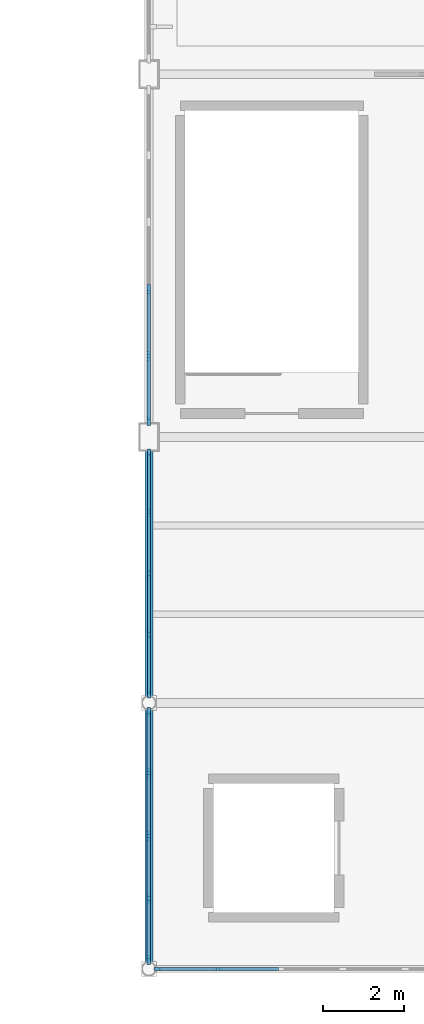
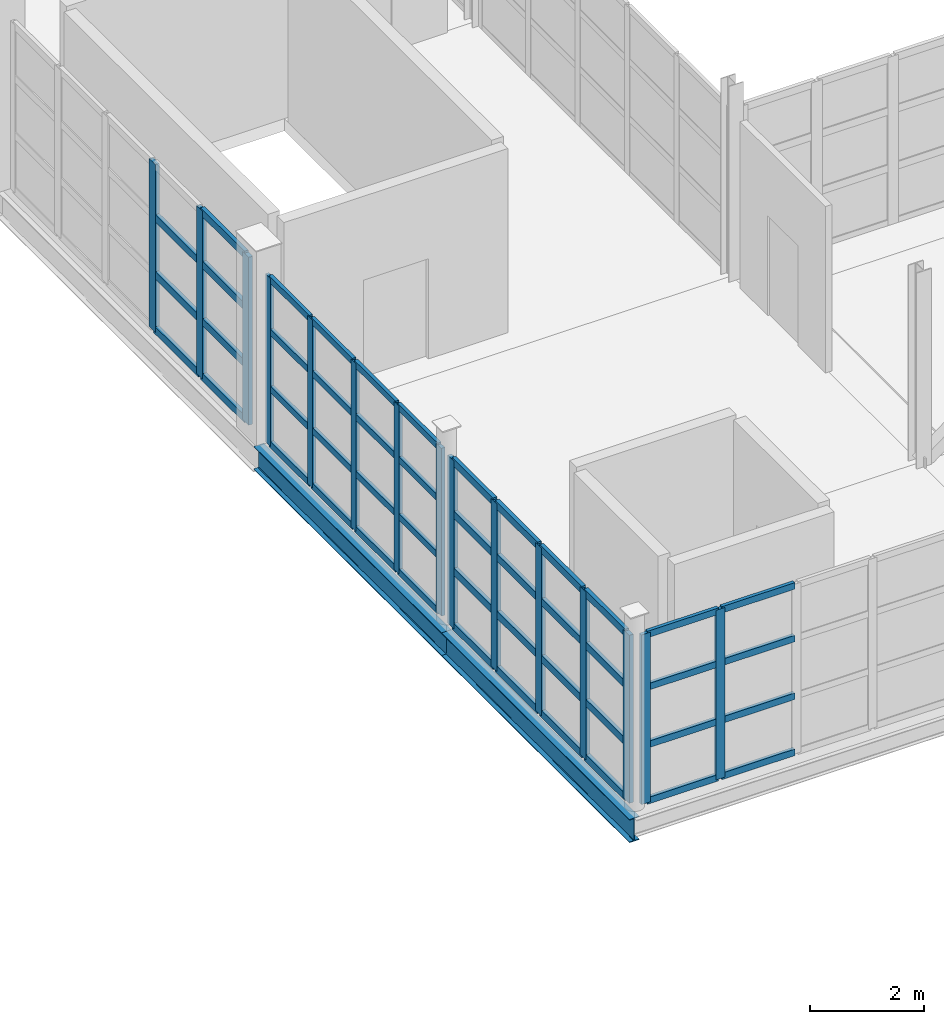
# One storey, part 26 of 82: 62 members, 2 beams, 4 elements without a shape of their own.
"""IFC4 building model written with IfcOpenShell, lengths in metres."""

from ifc_helpers import new_model, si_unit, direction, frame, origin, origin_2d, place, context, subcontext, project, spatial, rectangle, i_section, extrude, material, layer, layer_set, material_profile, profile_set, type_object, element, aggregate, save


model = new_model("IFC4")

# Units and contexts
model_context = context("Model", 3, precision=1e-05, world=origin(), true_north=direction((0.0, 1.0)))
body_context = subcontext(model_context, "Body", "Model", "MODEL_VIEW")
ifc_project = project(units=[si_unit("LENGTHUNIT", "METRE"), si_unit("AREAUNIT", "SQUARE_METRE"), si_unit("VOLUMEUNIT", "CUBIC_METRE"), si_unit("PLANEANGLEUNIT", "RADIAN"), si_unit("MASSUNIT", "GRAM", prefix="KILO")], contexts=[model_context])

# Site, building, storey
site_placement = place(None, origin())
site = spatial("IfcSite", under=ifc_project, at=site_placement, CompositionType="ELEMENT")
building_placement = place(site_placement, origin())
building = spatial("IfcBuilding", under=site, at=building_placement, Name="Zarnetskaya Central Station", CompositionType="ELEMENT")
storey_placement = place(building_placement, frame((0.0, 0.0, 10.199951171875)))
storey = spatial("IfcBuildingStorey", under=building, at=storey_placement, Name="L02", CompositionType="ELEMENT", Elevation=10.199951171875)

# Curtain wall, members
ifc_material_1 = material(Name="Low-E insulated glass", Category="glass")
ifc_layer = layer(ifc_material_1, 0.1640625, Name="Low-E insulated glass", Category="glass")
ifc_layer_set = layer_set([ifc_layer], Name="Low-E insulated glass")
curtain_wall_type = type_object("IfcCurtainWallType", Name="CW-SYS-07", PredefinedType="USERDEFINED", material=ifc_layer_set)
curtain_wall_1_placement = place(storey_placement, origin())
curtain_wall_1 = element("IfcCurtainWall", 1, at=curtain_wall_1_placement, inside=storey, type_object=curtain_wall_type, Name="Curtain wall CW-L02-135", ObjectType="CURTAIN WALL", PredefinedType="USERDEFINED")
ifc_material_2 = material(Name="Anodised aluminium", Category="aluminium")
ifc_material_profile_1 = material_profile(ifc_material_2, rectangle(XDim=0.070068359375, YDim=0.179931640625, at=origin_2d()), Name="ALU MULL 70x180")
ifc_profile_set_1 = profile_set([ifc_material_profile_1], Name="Anodised aluminium")
member_type_1 = type_object("IfcMemberType", Name="CW-MULL-180", PredefinedType="MULLION", material=ifc_profile_set_1)
member_1_placement = place(storey_placement, frame((124.800048828125, 6.812744140625, 0.0), z_axis=(0.0, 0.0, 1.0), x_axis=(-1.0, 0.0, 0.0)))
member_1 = element("IfcMember", 2, at=member_1_placement, type_object=member_type_1, Name="CW-06 mullion 1", PredefinedType="MULLION", context=body_context, shape_type="SweptSolid", body=[
    extrude(rectangle(XDim=0.070068359375, YDim=0.179931640625, at=origin_2d()), origin(), (0.0, 0.0, 1.0), 3.60009765625),
])
member_2_placement = place(storey_placement, frame((124.800048828125, 8.2958984375, 0.0), z_axis=(0.0, 0.0, 1.0), x_axis=(-1.0, 0.0, 0.0)))
member_2 = element("IfcMember", 3, at=member_2_placement, type_object=member_type_1, Name="CW-06 mullion 2", PredefinedType="MULLION", context=body_context, shape_type="SweptSolid", body=[
    extrude(rectangle(XDim=0.070068359375, YDim=0.179931640625, at=origin_2d()), origin(), (0.0, 0.0, 1.0), 3.60009765625),
])
member_3_placement = place(storey_placement, frame((124.800048828125, 9.81396484375, 0.0), z_axis=(0.0, 0.0, 1.0), x_axis=(-1.0, 0.0, 0.0)))
member_3 = element("IfcMember", 4, at=member_3_placement, type_object=member_type_1, Name="CW-06 mullion 3", PredefinedType="MULLION", context=body_context, shape_type="SweptSolid", body=[
    extrude(rectangle(XDim=0.070068359375, YDim=0.179931640625, at=origin_2d()), origin(), (0.0, 0.0, 1.0), 3.60009765625),
])
member_4_placement = place(storey_placement, frame((124.800048828125, 11.33203125, 0.0), z_axis=(0.0, 0.0, 1.0), x_axis=(-1.0, 0.0, 0.0)))
member_4 = element("IfcMember", 5, at=member_4_placement, type_object=member_type_1, Name="CW-06 mullion 4", PredefinedType="MULLION", context=body_context, shape_type="SweptSolid", body=[
    extrude(rectangle(XDim=0.070068359375, YDim=0.179931640625, at=origin_2d()), origin(), (0.0, 0.0, 1.0), 3.60009765625),
])
member_5_placement = place(storey_placement, frame((124.800048828125, 12.81494140625, 0.0), z_axis=(0.0, 0.0, 1.0), x_axis=(-1.0, 0.0, 0.0)))
member_5 = element("IfcMember", 6, at=member_5_placement, type_object=member_type_1, Name="CW-06 mullion 5", PredefinedType="MULLION", context=body_context, shape_type="SweptSolid", body=[
    extrude(rectangle(XDim=0.070068359375, YDim=0.179931640625, at=origin_2d()), origin(), (0.0, 0.0, 1.0), 3.60009765625),
])

curtain_wall_2_placement = place(storey_placement, origin())
curtain_wall_2 = element("IfcCurtainWall", 7, at=curtain_wall_2_placement, inside=storey, type_object=curtain_wall_type, Name="Curtain wall CW-L02-145", ObjectType="CURTAIN WALL", PredefinedType="USERDEFINED")
member_6_placement = place(storey_placement, frame((126.523193359375, 0.0, 0.0), z_axis=(0.0, 0.0, 1.0), x_axis=(0.0, -1.0, 0.0)))
member_6 = element("IfcMember", 8, at=member_6_placement, type_object=member_type_1, Name="CW-06 mullion 6", PredefinedType="MULLION", context=body_context, shape_type="SweptSolid", body=[
    extrude(rectangle(XDim=0.070068359375, YDim=0.179931640625, at=origin_2d()), origin(), (0.0, 0.0, 1.0), 3.64013671875),
])
member_7_placement = place(storey_placement, frame((125.0126953125, 0.0, 0.0), z_axis=(0.0, 0.0, 1.0), x_axis=(0.0, -1.0, 0.0)))
member_7 = element("IfcMember", 9, at=member_7_placement, type_object=member_type_1, Name="CW-06 mullion 7", PredefinedType="MULLION", context=body_context, shape_type="SweptSolid", body=[
    extrude(rectangle(XDim=0.070068359375, YDim=0.179931640625, at=origin_2d()), origin(), (0.0, 0.0, 1.0), 3.64013671875),
])

curtain_wall_3_placement = place(storey_placement, origin())
curtain_wall_3 = element("IfcCurtainWall", 10, at=curtain_wall_3_placement, inside=storey, type_object=curtain_wall_type, Name="Curtain wall CW-L02-134", ObjectType="CURTAIN WALL", PredefinedType="USERDEFINED")
ifc_material_profile_2 = material_profile(ifc_material_2, rectangle(XDim=0.080078125, YDim=0.219970703125, at=origin_2d()), Name="ALU MULL 80x220")
ifc_profile_set_2 = profile_set([ifc_material_profile_2], Name="Anodised aluminium")
member_type_2 = type_object("IfcMemberType", Name="CW-MULL-220", PredefinedType="MULLION", material=ifc_profile_set_2)
member_8_placement = place(storey_placement, frame((124.800048828125, 0.2177734375, 0.0), z_axis=(0.0, 0.0, 1.0), x_axis=(-1.0, 0.0, 0.0)))
member_8 = element("IfcMember", 11, at=member_8_placement, type_object=member_type_2, Name="CW-06 mullion 1", PredefinedType="MULLION", context=body_context, shape_type="SweptSolid", body=[
    extrude(rectangle(XDim=0.080078125, YDim=0.219970703125, at=origin_2d()), origin(), (0.0, 0.0, 1.0), 3.60009765625),
])
member_9_placement = place(storey_placement, frame((124.800048828125, 1.739013671875, 0.0), z_axis=(0.0, 0.0, 1.0), x_axis=(-1.0, 0.0, 0.0)))
member_9 = element("IfcMember", 12, at=member_9_placement, type_object=member_type_2, Name="CW-06 mullion 2", PredefinedType="MULLION", context=body_context, shape_type="SweptSolid", body=[
    extrude(rectangle(XDim=0.080078125, YDim=0.219970703125, at=origin_2d()), origin(), (0.0, 0.0, 1.0), 3.60009765625),
])
member_10_placement = place(storey_placement, frame((124.800048828125, 3.300048828125, 0.0), z_axis=(0.0, 0.0, 1.0), x_axis=(-1.0, 0.0, 0.0)))
member_10 = element("IfcMember", 13, at=member_10_placement, type_object=member_type_2, Name="CW-06 mullion 3", PredefinedType="MULLION", context=body_context, shape_type="SweptSolid", body=[
    extrude(rectangle(XDim=0.080078125, YDim=0.219970703125, at=origin_2d()), origin(), (0.0, 0.0, 1.0), 3.60009765625),
])
member_11_placement = place(storey_placement, frame((124.800048828125, 4.861083984375, 0.0), z_axis=(0.0, 0.0, 1.0), x_axis=(-1.0, 0.0, 0.0)))
member_11 = element("IfcMember", 14, at=member_11_placement, type_object=member_type_2, Name="CW-06 mullion 4", PredefinedType="MULLION", context=body_context, shape_type="SweptSolid", body=[
    extrude(rectangle(XDim=0.080078125, YDim=0.219970703125, at=origin_2d()), origin(), (0.0, 0.0, 1.0), 3.60009765625),
])
member_12_placement = place(storey_placement, frame((124.800048828125, 6.382080078125, 0.0), z_axis=(0.0, 0.0, 1.0), x_axis=(-1.0, 0.0, 0.0)))
member_12 = element("IfcMember", 15, at=member_12_placement, type_object=member_type_2, Name="CW-06 mullion 5", PredefinedType="MULLION", context=body_context, shape_type="SweptSolid", body=[
    extrude(rectangle(XDim=0.080078125, YDim=0.219970703125, at=origin_2d()), origin(), (0.0, 0.0, 1.0), 3.60009765625),
])

curtain_wall_4_placement = place(storey_placement, origin())
curtain_wall_4 = element("IfcCurtainWall", 16, at=curtain_wall_4_placement, inside=storey, type_object=curtain_wall_type, Name="Curtain wall CW-L02-136", ObjectType="CURTAIN WALL", PredefinedType="USERDEFINED")
member_13_placement = place(storey_placement, frame((124.800048828125, 13.590087890625, 0.0), z_axis=(0.0, 0.0, 1.0), x_axis=(-1.0, 0.0, 0.0)))
member_13 = element("IfcMember", 17, at=member_13_placement, type_object=member_type_2, Name="CW-06 mullion 1", PredefinedType="MULLION", context=body_context, shape_type="SweptSolid", body=[
    extrude(rectangle(XDim=0.080078125, YDim=0.219970703125, at=origin_2d()), origin(), (0.0, 0.0, 1.0), 3.60009765625),
])
member_14_placement = place(storey_placement, frame((124.800048828125, 15.2099609375, 0.0), z_axis=(0.0, 0.0, 1.0), x_axis=(-1.0, 0.0, 0.0)))
member_14 = element("IfcMember", 18, at=member_14_placement, type_object=member_type_2, Name="CW-06 mullion 2", PredefinedType="MULLION", context=body_context, shape_type="SweptSolid", body=[
    extrude(rectangle(XDim=0.080078125, YDim=0.219970703125, at=origin_2d()), origin(), (0.0, 0.0, 1.0), 3.60009765625),
])
member_15_placement = place(storey_placement, frame((124.800048828125, 16.8701171875, 0.0), z_axis=(0.0, 0.0, 1.0), x_axis=(-1.0, 0.0, 0.0)))
member_15 = element("IfcMember", 19, at=member_15_placement, type_object=member_type_2, Name="CW-06 mullion 3", PredefinedType="MULLION", context=body_context, shape_type="SweptSolid", body=[
    extrude(rectangle(XDim=0.080078125, YDim=0.219970703125, at=origin_2d()), origin(), (0.0, 0.0, 1.0), 3.60009765625),
])

# Member
ifc_material_profile_3 = material_profile(ifc_material_2, rectangle(XDim=0.070068359375, YDim=0.139892578125, at=origin_2d()), Name="ALU TRAN 70x140")
ifc_profile_set_3 = profile_set([ifc_material_profile_3], Name="Anodised aluminium")
member_type_3 = type_object("IfcMemberType", Name="CW-TRAN-140", PredefinedType="USERDEFINED", material=ifc_profile_set_3)
member_16_placement = place(storey_placement, frame((124.800048828125, 6.847900390625, 0.03515625), z_axis=(0.0, 1.0, 0.0), x_axis=(-1.0, 0.0, 0.0)))
member_16 = element("IfcMember", 20, at=member_16_placement, type_object=member_type_3, Name="CW-06 transom 1.1", ObjectType="TRANSOM", PredefinedType="USERDEFINED", context=body_context, shape_type="SweptSolid", body=[
    extrude(rectangle(XDim=0.070068359375, YDim=0.139892578125, at=origin_2d()), origin(), (0.0, 0.0, 1.0), 1.412841796875),
])

member_17_placement = place(storey_placement, frame((124.800048828125, 6.847900390625, 1.22412109375), z_axis=(0.0, 1.0, 0.0), x_axis=(-1.0, 0.0, 0.0)))
member_17 = element("IfcMember", 21, at=member_17_placement, type_object=member_type_3, Name="CW-06 transom 1.2", ObjectType="TRANSOM", PredefinedType="USERDEFINED", context=body_context, shape_type="SweptSolid", body=[
    extrude(rectangle(XDim=0.070068359375, YDim=0.139892578125, at=origin_2d()), origin(), (0.0, 0.0, 1.0), 1.412841796875),
])

member_18_placement = place(storey_placement, frame((124.800048828125, 6.847900390625, 2.447998046875), z_axis=(0.0, 1.0, 0.0), x_axis=(-1.0, 0.0, 0.0)))
member_18 = element("IfcMember", 22, at=member_18_placement, type_object=member_type_3, Name="CW-06 transom 1.3", ObjectType="TRANSOM", PredefinedType="USERDEFINED", context=body_context, shape_type="SweptSolid", body=[
    extrude(rectangle(XDim=0.070068359375, YDim=0.139892578125, at=origin_2d()), origin(), (0.0, 0.0, 1.0), 1.412841796875),
])

member_19_placement = place(storey_placement, frame((124.800048828125, 6.847900390625, 3.56494140625), z_axis=(0.0, 1.0, 0.0), x_axis=(-1.0, 0.0, 0.0)))
member_19 = element("IfcMember", 23, at=member_19_placement, type_object=member_type_3, Name="CW-06 transom 1.4", ObjectType="TRANSOM", PredefinedType="USERDEFINED", context=body_context, shape_type="SweptSolid", body=[
    extrude(rectangle(XDim=0.070068359375, YDim=0.139892578125, at=origin_2d()), origin(), (0.0, 0.0, 1.0), 1.412841796875),
])

member_20_placement = place(storey_placement, frame((124.800048828125, 8.330810546875, 0.03515625), z_axis=(0.0, 1.0, 0.0), x_axis=(-1.0, 0.0, 0.0)))
member_20 = element("IfcMember", 24, at=member_20_placement, type_object=member_type_3, Name="CW-06 transom 2.1", ObjectType="TRANSOM", PredefinedType="USERDEFINED", context=body_context, shape_type="SweptSolid", body=[
    extrude(rectangle(XDim=0.070068359375, YDim=0.139892578125, at=origin_2d()), origin(), (0.0, 0.0, 1.0), 1.447998046875),
])

member_21_placement = place(storey_placement, frame((124.800048828125, 8.330810546875, 1.22412109375), z_axis=(0.0, 1.0, 0.0), x_axis=(-1.0, 0.0, 0.0)))
member_21 = element("IfcMember", 25, at=member_21_placement, type_object=member_type_3, Name="CW-06 transom 2.2", ObjectType="TRANSOM", PredefinedType="USERDEFINED", context=body_context, shape_type="SweptSolid", body=[
    extrude(rectangle(XDim=0.070068359375, YDim=0.139892578125, at=origin_2d()), origin(), (0.0, 0.0, 1.0), 1.447998046875),
])

member_22_placement = place(storey_placement, frame((124.800048828125, 8.330810546875, 2.447998046875), z_axis=(0.0, 1.0, 0.0), x_axis=(-1.0, 0.0, 0.0)))
member_22 = element("IfcMember", 26, at=member_22_placement, type_object=member_type_3, Name="CW-06 transom 2.3", ObjectType="TRANSOM", PredefinedType="USERDEFINED", context=body_context, shape_type="SweptSolid", body=[
    extrude(rectangle(XDim=0.070068359375, YDim=0.139892578125, at=origin_2d()), origin(), (0.0, 0.0, 1.0), 1.447998046875),
])

member_23_placement = place(storey_placement, frame((124.800048828125, 8.330810546875, 3.56494140625), z_axis=(0.0, 1.0, 0.0), x_axis=(-1.0, 0.0, 0.0)))
member_23 = element("IfcMember", 27, at=member_23_placement, type_object=member_type_3, Name="CW-06 transom 2.4", ObjectType="TRANSOM", PredefinedType="USERDEFINED", context=body_context, shape_type="SweptSolid", body=[
    extrude(rectangle(XDim=0.070068359375, YDim=0.139892578125, at=origin_2d()), origin(), (0.0, 0.0, 1.0), 1.447998046875),
])

member_24_placement = place(storey_placement, frame((124.800048828125, 9.848876953125, 0.03515625), z_axis=(0.0, 1.0, 0.0), x_axis=(-1.0, 0.0, 0.0)))
member_24 = element("IfcMember", 28, at=member_24_placement, type_object=member_type_3, Name="CW-06 transom 3.1", ObjectType="TRANSOM", PredefinedType="USERDEFINED", context=body_context, shape_type="SweptSolid", body=[
    extrude(rectangle(XDim=0.070068359375, YDim=0.139892578125, at=origin_2d()), origin(), (0.0, 0.0, 1.0), 1.447998046875),
])

member_25_placement = place(storey_placement, frame((124.800048828125, 9.848876953125, 1.22412109375), z_axis=(0.0, 1.0, 0.0), x_axis=(-1.0, 0.0, 0.0)))
member_25 = element("IfcMember", 29, at=member_25_placement, type_object=member_type_3, Name="CW-06 transom 3.2", ObjectType="TRANSOM", PredefinedType="USERDEFINED", context=body_context, shape_type="SweptSolid", body=[
    extrude(rectangle(XDim=0.070068359375, YDim=0.139892578125, at=origin_2d()), origin(), (0.0, 0.0, 1.0), 1.447998046875),
])

member_26_placement = place(storey_placement, frame((124.800048828125, 9.848876953125, 2.447998046875), z_axis=(0.0, 1.0, 0.0), x_axis=(-1.0, 0.0, 0.0)))
member_26 = element("IfcMember", 30, at=member_26_placement, type_object=member_type_3, Name="CW-06 transom 3.3", ObjectType="TRANSOM", PredefinedType="USERDEFINED", context=body_context, shape_type="SweptSolid", body=[
    extrude(rectangle(XDim=0.070068359375, YDim=0.139892578125, at=origin_2d()), origin(), (0.0, 0.0, 1.0), 1.447998046875),
])

member_27_placement = place(storey_placement, frame((124.800048828125, 9.848876953125, 3.56494140625), z_axis=(0.0, 1.0, 0.0), x_axis=(-1.0, 0.0, 0.0)))
member_27 = element("IfcMember", 31, at=member_27_placement, type_object=member_type_3, Name="CW-06 transom 3.4", ObjectType="TRANSOM", PredefinedType="USERDEFINED", context=body_context, shape_type="SweptSolid", body=[
    extrude(rectangle(XDim=0.070068359375, YDim=0.139892578125, at=origin_2d()), origin(), (0.0, 0.0, 1.0), 1.447998046875),
])

member_28_placement = place(storey_placement, frame((124.800048828125, 11.366943359375, 0.03515625), z_axis=(0.0, 1.0, 0.0), x_axis=(-1.0, 0.0, 0.0)))
member_28 = element("IfcMember", 32, at=member_28_placement, type_object=member_type_3, Name="CW-06 transom 4.1", ObjectType="TRANSOM", PredefinedType="USERDEFINED", context=body_context, shape_type="SweptSolid", body=[
    extrude(rectangle(XDim=0.070068359375, YDim=0.139892578125, at=origin_2d()), origin(), (0.0, 0.0, 1.0), 1.4130859375),
])

member_29_placement = place(storey_placement, frame((124.800048828125, 11.366943359375, 1.22412109375), z_axis=(0.0, 1.0, 0.0), x_axis=(-1.0, 0.0, 0.0)))
member_29 = element("IfcMember", 33, at=member_29_placement, type_object=member_type_3, Name="CW-06 transom 4.2", ObjectType="TRANSOM", PredefinedType="USERDEFINED", context=body_context, shape_type="SweptSolid", body=[
    extrude(rectangle(XDim=0.070068359375, YDim=0.139892578125, at=origin_2d()), origin(), (0.0, 0.0, 1.0), 1.4130859375),
])

member_30_placement = place(storey_placement, frame((124.800048828125, 11.366943359375, 2.447998046875), z_axis=(0.0, 1.0, 0.0), x_axis=(-1.0, 0.0, 0.0)))
member_30 = element("IfcMember", 34, at=member_30_placement, type_object=member_type_3, Name="CW-06 transom 4.3", ObjectType="TRANSOM", PredefinedType="USERDEFINED", context=body_context, shape_type="SweptSolid", body=[
    extrude(rectangle(XDim=0.070068359375, YDim=0.139892578125, at=origin_2d()), origin(), (0.0, 0.0, 1.0), 1.4130859375),
])

member_31_placement = place(storey_placement, frame((124.800048828125, 11.366943359375, 3.56494140625), z_axis=(0.0, 1.0, 0.0), x_axis=(-1.0, 0.0, 0.0)))
member_31 = element("IfcMember", 35, at=member_31_placement, type_object=member_type_3, Name="CW-06 transom 4.4", ObjectType="TRANSOM", PredefinedType="USERDEFINED", context=body_context, shape_type="SweptSolid", body=[
    extrude(rectangle(XDim=0.070068359375, YDim=0.139892578125, at=origin_2d()), origin(), (0.0, 0.0, 1.0), 1.4130859375),
])

aggregate(curtain_wall_1, [member_1, member_2, member_3, member_4, member_5, member_16, member_17, member_18, member_19, member_20, member_21, member_22, member_23, member_24, member_25, member_26, member_27, member_28, member_29, member_30, member_31])

member_32_placement = place(storey_placement, frame((128.033447265625, 0.0, 0.03515625), z_axis=(-1.0, 0.0, 0.0), x_axis=(0.0, -1.0, 0.0)))
member_32 = element("IfcMember", 36, at=member_32_placement, type_object=member_type_3, Name="CW-06 transom 5.1", ObjectType="TRANSOM", PredefinedType="USERDEFINED", context=body_context, shape_type="SweptSolid", body=[
    extrude(rectangle(XDim=0.070068359375, YDim=0.139892578125, at=origin_2d()), origin(), (0.0, 0.0, 1.0), 1.475341796875),
])

member_33_placement = place(storey_placement, frame((128.033447265625, 0.0, 1.238037109375), z_axis=(-1.0, 0.0, 0.0), x_axis=(0.0, -1.0, 0.0)))
member_33 = element("IfcMember", 37, at=member_33_placement, type_object=member_type_3, Name="CW-06 transom 5.2", ObjectType="TRANSOM", PredefinedType="USERDEFINED", context=body_context, shape_type="SweptSolid", body=[
    extrude(rectangle(XDim=0.070068359375, YDim=0.139892578125, at=origin_2d()), origin(), (0.0, 0.0, 1.0), 1.475341796875),
])

member_34_placement = place(storey_placement, frame((128.033447265625, 0.0, 2.47509765625), z_axis=(-1.0, 0.0, 0.0), x_axis=(0.0, -1.0, 0.0)))
member_34 = element("IfcMember", 38, at=member_34_placement, type_object=member_type_3, Name="CW-06 transom 5.3", ObjectType="TRANSOM", PredefinedType="USERDEFINED", context=body_context, shape_type="SweptSolid", body=[
    extrude(rectangle(XDim=0.070068359375, YDim=0.139892578125, at=origin_2d()), origin(), (0.0, 0.0, 1.0), 1.475341796875),
])

member_35_placement = place(storey_placement, frame((128.033447265625, 0.0, 3.60498046875), z_axis=(-1.0, 0.0, 0.0), x_axis=(0.0, -1.0, 0.0)))
member_35 = element("IfcMember", 39, at=member_35_placement, type_object=member_type_3, Name="CW-06 transom 5.4", ObjectType="TRANSOM", PredefinedType="USERDEFINED", context=body_context, shape_type="SweptSolid", body=[
    extrude(rectangle(XDim=0.070068359375, YDim=0.139892578125, at=origin_2d()), origin(), (0.0, 0.0, 1.0), 1.475341796875),
])

member_36_placement = place(storey_placement, frame((126.48828125, 0.0, 0.03515625), z_axis=(-1.0, 0.0, 0.0), x_axis=(0.0, -1.0, 0.0)))
member_36 = element("IfcMember", 40, at=member_36_placement, type_object=member_type_3, Name="CW-06 transom 6.1", ObjectType="TRANSOM", PredefinedType="USERDEFINED", context=body_context, shape_type="SweptSolid", body=[
    extrude(rectangle(XDim=0.070068359375, YDim=0.139892578125, at=origin_2d()), origin(), (0.0, 0.0, 1.0), 1.4404296875),
])

member_37_placement = place(storey_placement, frame((126.48828125, 0.0, 1.238037109375), z_axis=(-1.0, 0.0, 0.0), x_axis=(0.0, -1.0, 0.0)))
member_37 = element("IfcMember", 41, at=member_37_placement, type_object=member_type_3, Name="CW-06 transom 6.2", ObjectType="TRANSOM", PredefinedType="USERDEFINED", context=body_context, shape_type="SweptSolid", body=[
    extrude(rectangle(XDim=0.070068359375, YDim=0.139892578125, at=origin_2d()), origin(), (0.0, 0.0, 1.0), 1.4404296875),
])

member_38_placement = place(storey_placement, frame((126.48828125, 0.0, 2.47509765625), z_axis=(-1.0, 0.0, 0.0), x_axis=(0.0, -1.0, 0.0)))
member_38 = element("IfcMember", 42, at=member_38_placement, type_object=member_type_3, Name="CW-06 transom 6.3", ObjectType="TRANSOM", PredefinedType="USERDEFINED", context=body_context, shape_type="SweptSolid", body=[
    extrude(rectangle(XDim=0.070068359375, YDim=0.139892578125, at=origin_2d()), origin(), (0.0, 0.0, 1.0), 1.4404296875),
])

member_39_placement = place(storey_placement, frame((126.48828125, 0.0, 3.60498046875), z_axis=(-1.0, 0.0, 0.0), x_axis=(0.0, -1.0, 0.0)))
member_39 = element("IfcMember", 43, at=member_39_placement, type_object=member_type_3, Name="CW-06 transom 6.4", ObjectType="TRANSOM", PredefinedType="USERDEFINED", context=body_context, shape_type="SweptSolid", body=[
    extrude(rectangle(XDim=0.070068359375, YDim=0.139892578125, at=origin_2d()), origin(), (0.0, 0.0, 1.0), 1.4404296875),
])

aggregate(curtain_wall_2, [member_6, member_7, member_32, member_33, member_34, member_35, member_36, member_37, member_38, member_39])

ifc_material_profile_4 = material_profile(ifc_material_2, rectangle(XDim=0.080078125, YDim=0.159912109375, at=origin_2d()), Name="ALU TRAN 80x160")
ifc_profile_set_4 = profile_set([ifc_material_profile_4], Name="Anodised aluminium")
member_type_4 = type_object("IfcMemberType", Name="CW-TRAN-160", PredefinedType="USERDEFINED", material=ifc_profile_set_4)
member_40_placement = place(storey_placement, frame((124.800048828125, 0.2578125, 0.0400390625), z_axis=(0.0, 1.0, 0.0), x_axis=(-1.0, 0.0, 0.0)))
member_40 = element("IfcMember", 44, at=member_40_placement, type_object=member_type_4, Name="CW-06 transom 1.1", ObjectType="TRANSOM", PredefinedType="USERDEFINED", context=body_context, shape_type="SweptSolid", body=[
    extrude(rectangle(XDim=0.080078125, YDim=0.159912109375, at=origin_2d()), origin(), (0.0, 0.0, 1.0), 1.441162109375),
])

member_41_placement = place(storey_placement, frame((124.800048828125, 0.2578125, 1.22412109375), z_axis=(0.0, 1.0, 0.0), x_axis=(-1.0, 0.0, 0.0)))
member_41 = element("IfcMember", 45, at=member_41_placement, type_object=member_type_4, Name="CW-06 transom 1.2", ObjectType="TRANSOM", PredefinedType="USERDEFINED", context=body_context, shape_type="SweptSolid", body=[
    extrude(rectangle(XDim=0.080078125, YDim=0.159912109375, at=origin_2d()), origin(), (0.0, 0.0, 1.0), 1.441162109375),
])

member_42_placement = place(storey_placement, frame((124.800048828125, 0.2578125, 2.447998046875), z_axis=(0.0, 1.0, 0.0), x_axis=(-1.0, 0.0, 0.0)))
member_42 = element("IfcMember", 46, at=member_42_placement, type_object=member_type_4, Name="CW-06 transom 1.3", ObjectType="TRANSOM", PredefinedType="USERDEFINED", context=body_context, shape_type="SweptSolid", body=[
    extrude(rectangle(XDim=0.080078125, YDim=0.159912109375, at=origin_2d()), origin(), (0.0, 0.0, 1.0), 1.441162109375),
])

member_43_placement = place(storey_placement, frame((124.800048828125, 0.2578125, 3.56005859375), z_axis=(0.0, 1.0, 0.0), x_axis=(-1.0, 0.0, 0.0)))
member_43 = element("IfcMember", 47, at=member_43_placement, type_object=member_type_4, Name="CW-06 transom 1.4", ObjectType="TRANSOM", PredefinedType="USERDEFINED", context=body_context, shape_type="SweptSolid", body=[
    extrude(rectangle(XDim=0.080078125, YDim=0.159912109375, at=origin_2d()), origin(), (0.0, 0.0, 1.0), 1.441162109375),
])

member_44_placement = place(storey_placement, frame((124.800048828125, 1.77880859375, 0.0400390625), z_axis=(0.0, 1.0, 0.0), x_axis=(-1.0, 0.0, 0.0)))
member_44 = element("IfcMember", 48, at=member_44_placement, type_object=member_type_4, Name="CW-06 transom 2.1", ObjectType="TRANSOM", PredefinedType="USERDEFINED", context=body_context, shape_type="SweptSolid", body=[
    extrude(rectangle(XDim=0.080078125, YDim=0.159912109375, at=origin_2d()), origin(), (0.0, 0.0, 1.0), 1.481201171875),
])

member_45_placement = place(storey_placement, frame((124.800048828125, 1.77880859375, 1.22412109375), z_axis=(0.0, 1.0, 0.0), x_axis=(-1.0, 0.0, 0.0)))
member_45 = element("IfcMember", 49, at=member_45_placement, type_object=member_type_4, Name="CW-06 transom 2.2", ObjectType="TRANSOM", PredefinedType="USERDEFINED", context=body_context, shape_type="SweptSolid", body=[
    extrude(rectangle(XDim=0.080078125, YDim=0.159912109375, at=origin_2d()), origin(), (0.0, 0.0, 1.0), 1.481201171875),
])

member_46_placement = place(storey_placement, frame((124.800048828125, 1.77880859375, 2.447998046875), z_axis=(0.0, 1.0, 0.0), x_axis=(-1.0, 0.0, 0.0)))
member_46 = element("IfcMember", 50, at=member_46_placement, type_object=member_type_4, Name="CW-06 transom 2.3", ObjectType="TRANSOM", PredefinedType="USERDEFINED", context=body_context, shape_type="SweptSolid", body=[
    extrude(rectangle(XDim=0.080078125, YDim=0.159912109375, at=origin_2d()), origin(), (0.0, 0.0, 1.0), 1.481201171875),
])

member_47_placement = place(storey_placement, frame((124.800048828125, 1.77880859375, 3.56005859375), z_axis=(0.0, 1.0, 0.0), x_axis=(-1.0, 0.0, 0.0)))
member_47 = element("IfcMember", 51, at=member_47_placement, type_object=member_type_4, Name="CW-06 transom 2.4", ObjectType="TRANSOM", PredefinedType="USERDEFINED", context=body_context, shape_type="SweptSolid", body=[
    extrude(rectangle(XDim=0.080078125, YDim=0.159912109375, at=origin_2d()), origin(), (0.0, 0.0, 1.0), 1.481201171875),
])

member_48_placement = place(storey_placement, frame((124.800048828125, 3.340087890625, 0.0400390625), z_axis=(0.0, 1.0, 0.0), x_axis=(-1.0, 0.0, 0.0)))
member_48 = element("IfcMember", 52, at=member_48_placement, type_object=member_type_4, Name="CW-06 transom 3.1", ObjectType="TRANSOM", PredefinedType="USERDEFINED", context=body_context, shape_type="SweptSolid", body=[
    extrude(rectangle(XDim=0.080078125, YDim=0.159912109375, at=origin_2d()), origin(), (0.0, 0.0, 1.0), 1.48095703125),
])

member_49_placement = place(storey_placement, frame((124.800048828125, 3.340087890625, 1.22412109375), z_axis=(0.0, 1.0, 0.0), x_axis=(-1.0, 0.0, 0.0)))
member_49 = element("IfcMember", 53, at=member_49_placement, type_object=member_type_4, Name="CW-06 transom 3.2", ObjectType="TRANSOM", PredefinedType="USERDEFINED", context=body_context, shape_type="SweptSolid", body=[
    extrude(rectangle(XDim=0.080078125, YDim=0.159912109375, at=origin_2d()), origin(), (0.0, 0.0, 1.0), 1.48095703125),
])

member_50_placement = place(storey_placement, frame((124.800048828125, 3.340087890625, 2.447998046875), z_axis=(0.0, 1.0, 0.0), x_axis=(-1.0, 0.0, 0.0)))
member_50 = element("IfcMember", 54, at=member_50_placement, type_object=member_type_4, Name="CW-06 transom 3.3", ObjectType="TRANSOM", PredefinedType="USERDEFINED", context=body_context, shape_type="SweptSolid", body=[
    extrude(rectangle(XDim=0.080078125, YDim=0.159912109375, at=origin_2d()), origin(), (0.0, 0.0, 1.0), 1.48095703125),
])

member_51_placement = place(storey_placement, frame((124.800048828125, 3.340087890625, 3.56005859375), z_axis=(0.0, 1.0, 0.0), x_axis=(-1.0, 0.0, 0.0)))
member_51 = element("IfcMember", 55, at=member_51_placement, type_object=member_type_4, Name="CW-06 transom 3.4", ObjectType="TRANSOM", PredefinedType="USERDEFINED", context=body_context, shape_type="SweptSolid", body=[
    extrude(rectangle(XDim=0.080078125, YDim=0.159912109375, at=origin_2d()), origin(), (0.0, 0.0, 1.0), 1.48095703125),
])

member_52_placement = place(storey_placement, frame((124.800048828125, 4.901123046875, 0.0400390625), z_axis=(0.0, 1.0, 0.0), x_axis=(-1.0, 0.0, 0.0)))
member_52 = element("IfcMember", 56, at=member_52_placement, type_object=member_type_4, Name="CW-06 transom 4.1", ObjectType="TRANSOM", PredefinedType="USERDEFINED", context=body_context, shape_type="SweptSolid", body=[
    extrude(rectangle(XDim=0.080078125, YDim=0.159912109375, at=origin_2d()), origin(), (0.0, 0.0, 1.0), 1.441162109375),
])

member_53_placement = place(storey_placement, frame((124.800048828125, 4.901123046875, 1.22412109375), z_axis=(0.0, 1.0, 0.0), x_axis=(-1.0, 0.0, 0.0)))
member_53 = element("IfcMember", 57, at=member_53_placement, type_object=member_type_4, Name="CW-06 transom 4.2", ObjectType="TRANSOM", PredefinedType="USERDEFINED", context=body_context, shape_type="SweptSolid", body=[
    extrude(rectangle(XDim=0.080078125, YDim=0.159912109375, at=origin_2d()), origin(), (0.0, 0.0, 1.0), 1.441162109375),
])

member_54_placement = place(storey_placement, frame((124.800048828125, 4.901123046875, 2.447998046875), z_axis=(0.0, 1.0, 0.0), x_axis=(-1.0, 0.0, 0.0)))
member_54 = element("IfcMember", 58, at=member_54_placement, type_object=member_type_4, Name="CW-06 transom 4.3", ObjectType="TRANSOM", PredefinedType="USERDEFINED", context=body_context, shape_type="SweptSolid", body=[
    extrude(rectangle(XDim=0.080078125, YDim=0.159912109375, at=origin_2d()), origin(), (0.0, 0.0, 1.0), 1.441162109375),
])

member_55_placement = place(storey_placement, frame((124.800048828125, 4.901123046875, 3.56005859375), z_axis=(0.0, 1.0, 0.0), x_axis=(-1.0, 0.0, 0.0)))
member_55 = element("IfcMember", 59, at=member_55_placement, type_object=member_type_4, Name="CW-06 transom 4.4", ObjectType="TRANSOM", PredefinedType="USERDEFINED", context=body_context, shape_type="SweptSolid", body=[
    extrude(rectangle(XDim=0.080078125, YDim=0.159912109375, at=origin_2d()), origin(), (0.0, 0.0, 1.0), 1.441162109375),
])

aggregate(curtain_wall_3, [member_8, member_9, member_10, member_11, member_12, member_40, member_41, member_42, member_43, member_44, member_45, member_46, member_47, member_48, member_49, member_50, member_51, member_52, member_53, member_54, member_55])

member_56_placement = place(storey_placement, frame((124.800048828125, 13.6298828125, 0.0400390625), z_axis=(0.0, 1.0, 0.0), x_axis=(-1.0, 0.0, 0.0)))
member_56 = element("IfcMember", 60, at=member_56_placement, type_object=member_type_4, Name="CW-06 transom 1.1", ObjectType="TRANSOM", PredefinedType="USERDEFINED", context=body_context, shape_type="SweptSolid", body=[
    extrude(rectangle(XDim=0.080078125, YDim=0.159912109375, at=origin_2d()), origin(), (0.0, 0.0, 1.0), 1.5400390625),
])

member_57_placement = place(storey_placement, frame((124.800048828125, 13.6298828125, 1.22412109375), z_axis=(0.0, 1.0, 0.0), x_axis=(-1.0, 0.0, 0.0)))
member_57 = element("IfcMember", 61, at=member_57_placement, type_object=member_type_4, Name="CW-06 transom 1.2", ObjectType="TRANSOM", PredefinedType="USERDEFINED", context=body_context, shape_type="SweptSolid", body=[
    extrude(rectangle(XDim=0.080078125, YDim=0.159912109375, at=origin_2d()), origin(), (0.0, 0.0, 1.0), 1.5400390625),
])

member_58_placement = place(storey_placement, frame((124.800048828125, 13.6298828125, 2.447998046875), z_axis=(0.0, 1.0, 0.0), x_axis=(-1.0, 0.0, 0.0)))
member_58 = element("IfcMember", 62, at=member_58_placement, type_object=member_type_4, Name="CW-06 transom 1.3", ObjectType="TRANSOM", PredefinedType="USERDEFINED", context=body_context, shape_type="SweptSolid", body=[
    extrude(rectangle(XDim=0.080078125, YDim=0.159912109375, at=origin_2d()), origin(), (0.0, 0.0, 1.0), 1.5400390625),
])

member_59_placement = place(storey_placement, frame((124.800048828125, 13.6298828125, 3.56005859375), z_axis=(0.0, 1.0, 0.0), x_axis=(-1.0, 0.0, 0.0)))
member_59 = element("IfcMember", 63, at=member_59_placement, type_object=member_type_4, Name="CW-06 transom 1.4", ObjectType="TRANSOM", PredefinedType="USERDEFINED", context=body_context, shape_type="SweptSolid", body=[
    extrude(rectangle(XDim=0.080078125, YDim=0.159912109375, at=origin_2d()), origin(), (0.0, 0.0, 1.0), 1.5400390625),
])

member_60_placement = place(storey_placement, frame((124.800048828125, 15.25, 0.0400390625), z_axis=(0.0, 1.0, 0.0), x_axis=(-1.0, 0.0, 0.0)))
member_60 = element("IfcMember", 64, at=member_60_placement, type_object=member_type_4, Name="CW-06 transom 2.1", ObjectType="TRANSOM", PredefinedType="USERDEFINED", context=body_context, shape_type="SweptSolid", body=[
    extrude(rectangle(XDim=0.080078125, YDim=0.159912109375, at=origin_2d()), origin(), (0.0, 0.0, 1.0), 1.580078125),
])

member_61_placement = place(storey_placement, frame((124.800048828125, 15.25, 1.22412109375), z_axis=(0.0, 1.0, 0.0), x_axis=(-1.0, 0.0, 0.0)))
member_61 = element("IfcMember", 65, at=member_61_placement, type_object=member_type_4, Name="CW-06 transom 2.2", ObjectType="TRANSOM", PredefinedType="USERDEFINED", context=body_context, shape_type="SweptSolid", body=[
    extrude(rectangle(XDim=0.080078125, YDim=0.159912109375, at=origin_2d()), origin(), (0.0, 0.0, 1.0), 1.580078125),
])

member_62_placement = place(storey_placement, frame((124.800048828125, 15.25, 2.447998046875), z_axis=(0.0, 1.0, 0.0), x_axis=(-1.0, 0.0, 0.0)))
member_62 = element("IfcMember", 66, at=member_62_placement, type_object=member_type_4, Name="CW-06 transom 2.3", ObjectType="TRANSOM", PredefinedType="USERDEFINED", context=body_context, shape_type="SweptSolid", body=[
    extrude(rectangle(XDim=0.080078125, YDim=0.159912109375, at=origin_2d()), origin(), (0.0, 0.0, 1.0), 1.580078125),
])

aggregate(curtain_wall_4, [member_13, member_14, member_15, member_56, member_57, member_58, member_59, member_60, member_61, member_62])

# Beams
ifc_material_3 = material(Name="Steel S355", Category="steel")
ifc_material_profile_5 = material_profile(ifc_material_3, i_section(OverallWidth=0.199951171875, OverallDepth=0.5, WebThickness=0.01025390625, FlangeThickness=0.01611328125, FilletRadius=0.02099609375, at=origin_2d()), Name="IPE 500")
ifc_profile_set_5 = profile_set([ifc_material_profile_5], Name="Steel S355")
beam_type = type_object("IfcBeamType", Name="GD-FLR-500", PredefinedType="USERDEFINED", material=ifc_profile_set_5)
beam_1_placement = place(storey_placement, frame((124.800048828125, 0.0, -0.510009765625), z_axis=(0.0, 1.0, 0.0), x_axis=(-1.0, 0.0, 0.0)))
element("IfcBeam", 67, at=beam_1_placement, inside=storey, type_object=beam_type, Name="Grid girder GY-L02-P-12", ObjectType="GIRDER", PredefinedType="USERDEFINED", context=body_context, shape_type="SweptSolid", body=[
    extrude(i_section(OverallWidth=0.199951171875, OverallDepth=0.5, WebThickness=0.01025390625, FlangeThickness=0.01611328125, FilletRadius=0.02099609375, at=origin_2d()), origin(), (0.0, 0.0, 1.0), 6.60009765625),
])
beam_2_placement = place(storey_placement, frame((124.800048828125, 6.60009765625, -0.510009765625), z_axis=(0.0, 1.0, 0.0), x_axis=(-1.0, 0.0, 0.0)))
element("IfcBeam", 68, at=beam_2_placement, inside=storey, type_object=beam_type, Name="Grid girder GY-L02-P-23", ObjectType="GIRDER", PredefinedType="USERDEFINED", context=body_context, shape_type="SweptSolid", body=[
    extrude(i_section(OverallWidth=0.199951171875, OverallDepth=0.5, WebThickness=0.01025390625, FlangeThickness=0.01611328125, FilletRadius=0.02099609375, at=origin_2d()), origin(), (0.0, 0.0, 1.0), 6.599853515625),
])

save(model, "model.ifc")
